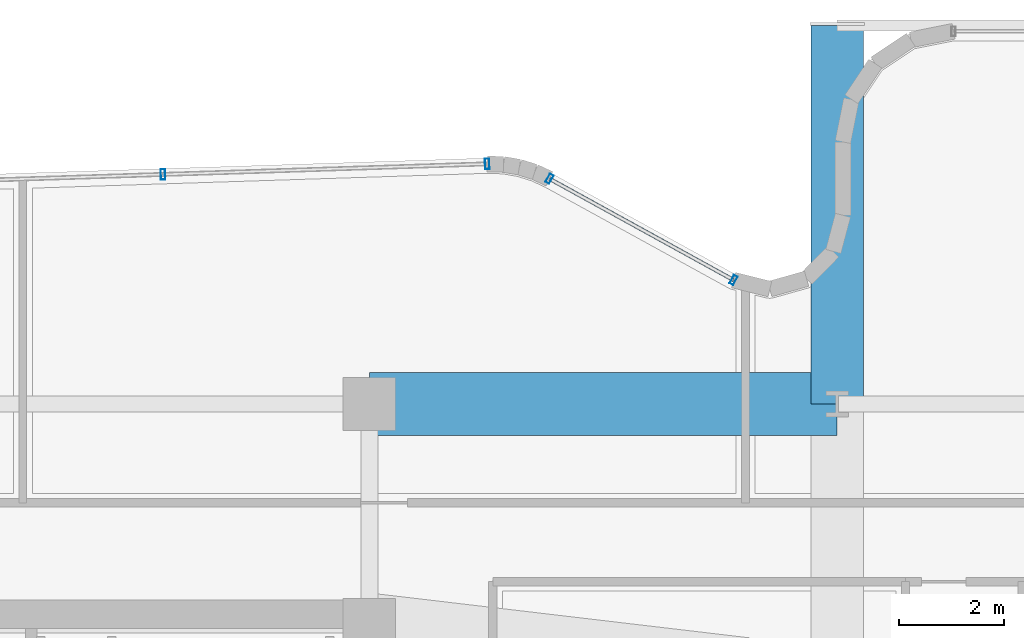
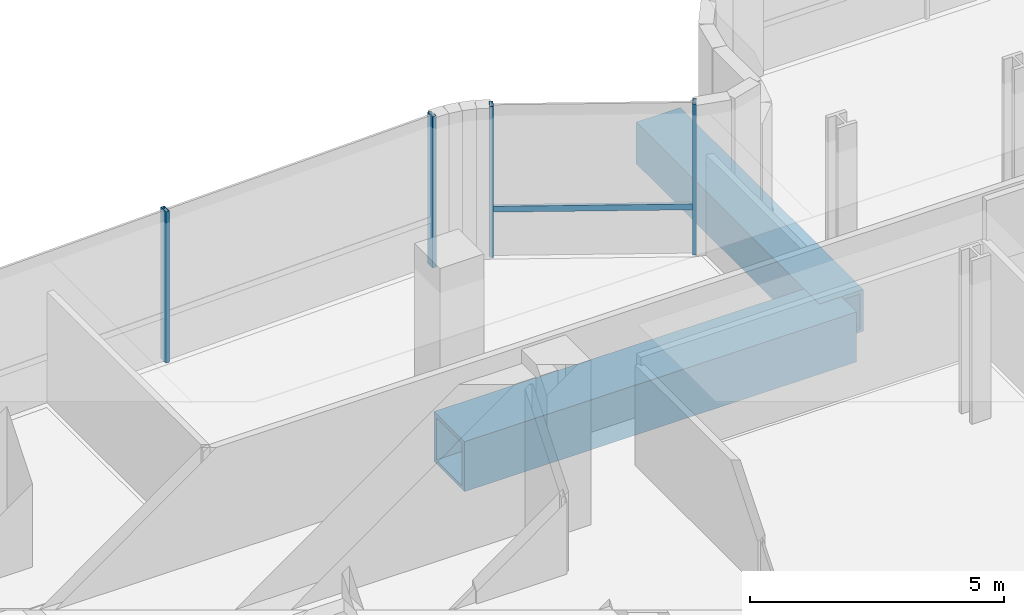
# One storey, part 21 of 37: 5 members, 2 beams, 2 elements without a shape of their own.
"""IFC4 building model written with IfcOpenShell, lengths in metres."""

import ifcopenshell
import ifcopenshell.guid

model = None  # the IFC model being written
_history = None  # IfcOwnerHistory: only IFC2X3 demands one
_inside = {}  # id of a spatial element -> (the spatial element, [elements in it])
_under = {}  # id of a project, library or spatial element -> (it, [spatial elements below it])
_declared = {}  # id of a project -> (the project, [libraries it declares])
_typed = {}  # id of a type object -> (the type object, [elements of that type])
_made_of = {}  # id of a material, layer set ... -> (it, [elements and type objects made of it])


def new_model(schema):
    """Start an empty IFC model of exactly this schema.

    Asked for "IFC4X3", IfcOpenShell would pick the latest addendum, in which some entities
    have other attributes; the version numbers below select the first issue.
    IFC2X3 requires an IfcOwnerHistory on every rooted entity: one is made here for all.
    """
    global model, _history
    if schema == "IFC4X3":
        model = ifcopenshell.file(schema_version=(4, 3, 0, 0))
    else:
        model = ifcopenshell.file(schema=schema)
    _inside.clear()
    _under.clear()
    _declared.clear()
    _typed.clear()
    _made_of.clear()
    _history = None
    if model.schema == "IFC2X3":
        org = make("IfcOrganization", Name="unknown")
        user = make(
            "IfcPersonAndOrganization",
            ThePerson=make("IfcPerson", FamilyName="unknown"),
            TheOrganization=org,
        )
        app = make(
            "IfcApplication",
            ApplicationDeveloper=org,
            Version="unknown",
            ApplicationFullName="unknown",
            ApplicationIdentifier="unknown",
        )
        _history = make(
            "IfcOwnerHistory",
            OwningUser=user,
            OwningApplication=app,
            ChangeAction="ADDED",
            CreationDate=0,
        )
    return model


def make(cls, **values):
    """One entity of the class cls with the attributes given. An attribute that is None is left unset."""
    return model.create_entity(
        cls, **{name: value for name, value in values.items() if value is not None}
    )


def rooted(cls, **values):
    """An entity with a GlobalId (a new one), such as an element, a storey or a relation."""
    return make(cls, GlobalId=ifcopenshell.guid.new(), OwnerHistory=_history, **values)


def si_unit(unit_type, name, prefix=None):
    """IfcSIUnit, for example si_unit("LENGTHUNIT", "METRE", prefix="MILLI")."""
    return make("IfcSIUnit", UnitType=unit_type, Prefix=prefix, Name=name)


def assignment(units):
    """IfcUnitAssignment: the units of a project."""
    return None if units is None else make("IfcUnitAssignment", Units=units)


def point(xyz):
    """IfcCartesianPoint."""
    return None if xyz is None else make("IfcCartesianPoint", Coordinates=xyz)


def direction(xyz):
    """IfcDirection."""
    return None if xyz is None else make("IfcDirection", DirectionRatios=xyz)


def frame(location, z_axis=None, x_axis=None):
    """IfcAxis2Placement3D, a coordinate frame: its origin and axes. An axis left out is left unset."""
    return make(
        "IfcAxis2Placement3D",
        Location=point(location),
        Axis=direction(z_axis),
        RefDirection=direction(x_axis),
    )


def frame_2d(location, x_axis=None):
    """IfcAxis2Placement2D, a coordinate frame in the plane: its origin and x axis."""
    return make(
        "IfcAxis2Placement2D", Location=point(location), RefDirection=direction(x_axis)
    )


def origin():
    """The frame at (0, 0, 0) with its axes left unset."""
    return frame((0.0, 0.0, 0.0))


def origin_2d():
    """The frame at (0, 0) in the plane with its x axis left unset."""
    return frame_2d((0.0, 0.0))


def place(relative_to, where):
    """IfcLocalPlacement: puts the frame where relative to a parent placement (None: the world)."""
    return make(
        "IfcLocalPlacement", PlacementRelTo=relative_to, RelativePlacement=where
    )


def context(
    kind, dimensions, precision=None, world=None, true_north=None, identifier=None
):
    """IfcGeometricRepresentationContext, for example the 3D "Model" context."""
    return make(
        "IfcGeometricRepresentationContext",
        ContextIdentifier=identifier,
        ContextType=kind,
        CoordinateSpaceDimension=dimensions,
        Precision=precision,
        WorldCoordinateSystem=world,
        TrueNorth=true_north,
    )


def subcontext(parent, identifier, kind, view, scale=None):
    """IfcGeometricRepresentationSubContext, for example "Body" below "Model"."""
    return make(
        "IfcGeometricRepresentationSubContext",
        ContextIdentifier=identifier,
        ContextType=kind,
        ParentContext=parent,
        TargetScale=scale,
        TargetView=view,
    )


def project(units=None, contexts=None):
    """IfcProject with its units and contexts."""
    return rooted(
        "IfcProject",
        Name="project",
        RepresentationContexts=contexts,
        UnitsInContext=assignment(units),
    )


def spatial(cls, under=None, at=None, **own):
    """A site, building, storey or space (cls), placed at a placement, below another one or the project."""
    s = rooted(cls, ObjectPlacement=at, **own)
    if under is not None:
        _under.setdefault(under.id(), (under, []))[1].append(s)
    return s


def profile(cls, at=None, kind="AREA", **sizes):
    """A parametric profile (cls). Its sizes go by their IFC names, for example OverallWidth=200.0."""
    return make(cls, ProfileType=kind, Position=at, **sizes)


def hollow_rectangle(**sizes):
    """IfcRectangleHollowProfileDef."""
    return profile("IfcRectangleHollowProfileDef", **sizes)


def extrude(swept, where, along, depth):
    """IfcExtrudedAreaSolid: the profile swept, set in the frame where, extruded along a direction by depth."""
    return make(
        "IfcExtrudedAreaSolid",
        SweptArea=swept,
        Position=where,
        ExtrudedDirection=direction(along),
        Depth=depth,
    )


def shape(context_of_items, identifier, shape_type, items):
    """IfcShapeRepresentation: the items that make up one representation, for example the "Body"."""
    return make(
        "IfcShapeRepresentation",
        ContextOfItems=context_of_items,
        RepresentationIdentifier=identifier,
        RepresentationType=shape_type,
        Items=items,
    )


def source(mapping_origin, context_of_items, identifier, shape_type, items):
    """IfcRepresentationMap: a shape defined once, which mapped items show again and again."""
    return make(
        "IfcRepresentationMap",
        MappingOrigin=mapping_origin,
        MappedRepresentation=shape(context_of_items, identifier, shape_type, items),
    )


def transform(
    local_origin,
    x_axis=None,
    y_axis=None,
    z_axis=None,
    scale=None,
    scale2=None,
    scale3=None,
    uniform=True,
):
    """IfcCartesianTransformationOperator3D, or its non-uniform kind. x_axis, y_axis, z_axis: its Axis1, 2, 3."""
    if uniform:
        return make(
            "IfcCartesianTransformationOperator3D",
            Axis1=direction(x_axis),
            Axis2=direction(y_axis),
            LocalOrigin=point(local_origin),
            Scale=scale,
            Axis3=direction(z_axis),
        )
    return make(
        "IfcCartesianTransformationOperator3DnonUniform",
        Axis1=direction(x_axis),
        Axis2=direction(y_axis),
        LocalOrigin=point(local_origin),
        Scale=scale,
        Axis3=direction(z_axis),
        Scale2=scale2,
        Scale3=scale3,
    )


def mapped(mapping_source, mapping_target):
    """IfcMappedItem: shows the shape of a source again, moved by a transform."""
    return make(
        "IfcMappedItem", MappingSource=mapping_source, MappingTarget=mapping_target
    )


def material(Name=None, Category=None):
    """IfcMaterial."""
    return make("IfcMaterial", Name=Name, Category=Category)


def material_profile(
    of_material, cross_section, Name=None, Category=None, Priority=None
):
    """IfcMaterialProfile: a cross section and its material."""
    return make(
        "IfcMaterialProfile",
        Name=Name,
        Material=of_material,
        Profile=cross_section,
        Priority=Priority,
        Category=Category,
    )


def profile_set(profiles, Name=None, composite=None):
    """IfcMaterialProfileSet."""
    return make(
        "IfcMaterialProfileSet",
        Name=Name,
        MaterialProfiles=profiles,
        CompositeProfile=composite,
    )


def made_of(thing, what):
    """Note that an element or type object is made of a material, layer set ...; save() writes the relation."""
    if what is not None:
        _made_of.setdefault(what.id(), (what, []))[1].append(thing)
    return thing


def type_object(cls, material=None, **own):
    """A type object (cls), such as IfcWallType, which elements share."""
    return made_of(rooted(cls, **own), material)


def element(
    cls,
    number,
    at=None,
    inside=None,
    cuts=None,
    type_object=None,
    material=None,
    context=None,
    identifier="Body",
    shape_type=None,
    held_by="IfcProductDefinitionShape",
    body=None,
    shapes=None,
    **own,
):
    """One element of the class cls, such as IfcWall. Its Tag is "e" and its number.

    at: its placement. inside: the storey or other place that contains it. cuts: it is an
    opening in that element (IfcRelVoidsElement). A single representation is given by context,
    identifier, shape_type and body (its items); several are given by shapes. held_by: the class
    of the entity that holds the representations. save() writes the other relations.
    """
    e = rooted(cls, Tag="e%d" % number, ObjectPlacement=at, **own)
    if body is not None:
        shapes = [shape(context, identifier, shape_type, body)]
    if shapes is not None:
        e.Representation = make(held_by, Representations=shapes)
    if inside is not None:
        _inside.setdefault(inside.id(), (inside, []))[1].append(e)
    if cuts is not None:
        rooted(
            "IfcRelVoidsElement", RelatingBuildingElement=cuts, RelatedOpeningElement=e
        )
    if type_object is not None:
        _typed.setdefault(type_object.id(), (type_object, []))[1].append(e)
    return made_of(e, material)


def aggregate(whole, parts):
    """IfcRelAggregates: a whole, such as a stair, and the parts it consists of."""
    return rooted("IfcRelAggregates", RelatingObject=whole, RelatedObjects=parts)


def save(model, path):
    """Write the relations noted so far, then the file.

    IfcRelAggregates (storeys below a building ...), IfcRelContainedInSpatialStructure (elements
    in a storey), IfcRelDefinesByType, IfcRelAssociatesMaterial and IfcRelDeclares: one each for
    every whole, place, type object, material and project.
    """
    for whole, parts in _under.values():
        aggregate(whole, parts)
    for where, things in _inside.values():
        rooted(
            "IfcRelContainedInSpatialStructure",
            RelatedElements=things,
            RelatingStructure=where,
        )
    for kind, things in _typed.values():
        rooted("IfcRelDefinesByType", RelatedObjects=things, RelatingType=kind)
    for what, things in _made_of.values():
        rooted("IfcRelAssociatesMaterial", RelatedObjects=things, RelatingMaterial=what)
    for by, libraries in _declared.values():
        rooted("IfcRelDeclares", RelatingContext=by, RelatedDefinitions=libraries)
    model.write(path)


model = new_model("IFC4")

# Units and contexts
model_context = context("Model", 3, precision=1e-05, world=origin(), true_north=direction((0.0, 1.0)))
body_context = subcontext(model_context, "Body", "Model", "MODEL_VIEW")
ifc_project = project(units=[si_unit("LENGTHUNIT", "METRE"), si_unit("AREAUNIT", "SQUARE_METRE"), si_unit("VOLUMEUNIT", "CUBIC_METRE"), si_unit("PLANEANGLEUNIT", "RADIAN"), si_unit("MASSUNIT", "GRAM", prefix="KILO")], contexts=[model_context])

# Site, building, storey
site_placement = place(None, origin())
site = spatial("IfcSite", under=ifc_project, at=site_placement, CompositionType="ELEMENT")
building_placement = place(site_placement, origin())
building = spatial("IfcBuilding", under=site, at=building_placement, Name="Valdorenza Pilgrim Sanctuary Tower", CompositionType="ELEMENT")
storey_placement = place(building_placement, frame((0.0, 0.0, 188.39990234375)))
storey = spatial("IfcBuildingStorey", under=building, at=storey_placement, Name="L48", CompositionType="ELEMENT", Elevation=188.39990234375)

# Beams
ifc_material_1 = material(Name="Steel ASTM A572 Grade 42", Category="steel")
ifc_material_profile_1 = material_profile(ifc_material_1, hollow_rectangle(XDim=1.199951171875, YDim=1.199951171875, WallThickness=0.090087890625, at=origin_2d()), Name="BOX 1200x1200x90")
ifc_profile_set_1 = profile_set([ifc_material_profile_1], Name="Steel ASTM A572 Grade 42")
beam_type_1 = type_object("IfcBeamType", Name="STR-BM-TRF-1200", PredefinedType="BEAM", material=ifc_profile_set_1)
shared_shape_1 = source(origin(), body_context, "Body", "SweptSolid", [
    extrude(hollow_rectangle(XDim=1.199951171875, YDim=1.199951171875, WallThickness=0.090087890625, at=origin_2d()), origin(), (0.0, 0.0, 1.0), 8.89990234375),
])
beam_1_placement = place(storey_placement, frame((-12.39990234375, 14.800048828125, -0.919921875), z_axis=(1.0, 0.0, 0.0), x_axis=(0.0, 1.0, 0.0)))
element("IfcBeam", 1, at=beam_1_placement, inside=storey, type_object=beam_type_1, Name="L48 Portal Bridge Transfer Girder PRY-G1-P14", PredefinedType="BEAM", context=body_context, shape_type="MappedRepresentation", body=[
    mapped(shared_shape_1, transform((0.0, 0.0, 0.0), x_axis=(1.0, 0.0, 0.0), y_axis=(0.0, 1.0, 0.0), z_axis=(0.0, 0.0, 1.0), scale=1.0)),
])
ifc_material_profile_2 = material_profile(ifc_material_1, hollow_rectangle(XDim=1.0, YDim=1.0, WallThickness=0.080078125, at=origin_2d()), Name="BOX 1000x1000x80")
ifc_profile_set_2 = profile_set([ifc_material_profile_2], Name="Steel ASTM A572 Grade 42")
beam_type_2 = type_object("IfcBeamType", Name="STR-BM-PROW-CANT", PredefinedType="BEAM", material=ifc_profile_set_2)
shared_shape_2 = source(origin(), body_context, "Body", "SweptSolid", [
    extrude(hollow_rectangle(XDim=1.0, YDim=1.0, WallThickness=0.080078125, at=origin_2d()), origin(), (0.0, 0.0, 1.0), 7.199951171875),
])
beam_2_placement = place(storey_placement, frame((-3.5, 14.800048828125, -0.81982421875), z_axis=(0.0, 1.0, 0.0), x_axis=(-1.0, 0.0, 0.0)))
element("IfcBeam", 2, at=beam_2_placement, inside=storey, type_object=beam_type_2, Name="L48 North Sanctuary Prow Cantilever PROW-CANT-N-W", PredefinedType="BEAM", context=body_context, shape_type="MappedRepresentation", body=[
    mapped(shared_shape_2, transform((0.0, 0.0, 0.0), x_axis=(1.0, 0.0, 0.0), y_axis=(0.0, 1.0, 0.0), z_axis=(0.0, 0.0, 1.0), scale=1.0)),
])

# Curtain wall, member
ifc_material_2 = material(Name="Curtain-wall IGU glazing", Category="glass")
curtain_wall_type_1 = type_object("IfcCurtainWallType", Name="CW-SYS-05", PredefinedType="NOTDEFINED", material=ifc_material_2)
curtain_wall_1_placement = place(storey_placement, origin())
curtain_wall_1 = element("IfcCurtainWall", 3, at=curtain_wall_1_placement, inside=storey, type_object=curtain_wall_type_1, Name="L48 Curtain Wall CW-L48-1-11", PredefinedType="NOTDEFINED")
ifc_material_3 = material(Name="Anodised aluminium AW-6060", Category="aluminium")
ifc_material_profile_3 = material_profile(ifc_material_3, hollow_rectangle(XDim=0.070068359375, YDim=0.139892578125, WallThickness=0.00341796875, at=origin_2d()), Name="ALU-T 140x70x3.5")
ifc_profile_set_3 = profile_set([ifc_material_profile_3], Name="Anodised aluminium AW-6060")
member_type_1 = type_object("IfcMemberType", Name="CW-TRN-05", PredefinedType="USERDEFINED", material=ifc_profile_set_3)
shared_shape_3 = source(origin(), body_context, "Body", "SweptSolid", [
    extrude(hollow_rectangle(XDim=0.070068359375, YDim=0.139892578125, WallThickness=0.00341796875, at=origin_2d()), origin(), (0.0, 0.0, 1.0), 3.99609375),
])
member_1_placement = place(storey_placement, frame((-8.972900390625, 19.084716796875, 1.1201171875), z_axis=(0.876178497897, -0.48198676312, 0.0), x_axis=(0.48198676312, 0.876178497897, 0.0)))
member_1 = element("IfcMember", 4, at=member_1_placement, type_object=member_type_1, Name="CW-L48-1-11 Transom 1", ObjectType="TRANSOM", PredefinedType="USERDEFINED", context=body_context, shape_type="MappedRepresentation", body=[
    mapped(shared_shape_3, transform((0.0, 0.0, 0.0), x_axis=(1.0, 0.0, 0.0), y_axis=(0.0, 1.0, 0.0), z_axis=(0.0, 0.0, 1.0), scale=1.0)),
])

# Curtain wall, members
curtain_wall_type_2 = type_object("IfcCurtainWallType", Name="CW-SYS-02", PredefinedType="NOTDEFINED", material=ifc_material_2)
curtain_wall_2_placement = place(storey_placement, origin())
curtain_wall_2 = element("IfcCurtainWall", 5, at=curtain_wall_2_placement, inside=storey, type_object=curtain_wall_type_2, Name="L48 Curtain Wall CW-L48-1-6", PredefinedType="NOTDEFINED")
ifc_material_profile_4 = material_profile(ifc_material_3, hollow_rectangle(XDim=0.0849609375, YDim=0.199951171875, WallThickness=0.0048828125, at=origin_2d()), Name="ALU-M 200x85x5")
ifc_profile_set_4 = profile_set([ifc_material_profile_4], Name="Anodised aluminium AW-6060")
member_type_2 = type_object("IfcMemberType", Name="CW-MUL-02", PredefinedType="MULLION", material=ifc_profile_set_4)
shared_shape_4 = source(origin(), body_context, "Body", "SweptSolid", [
    extrude(hollow_rectangle(XDim=0.0849609375, YDim=0.199951171875, WallThickness=0.0048828125, at=origin_2d()), origin(), (0.0, 0.0, 1.0), 3.630126953125),
])
member_2_placement = place(storey_placement, frame((-16.32666015625, 19.167724609375, 0.0), z_axis=(0.0, 0.0, 1.0), x_axis=(0.999470282811, 0.032544642846, 0.0)))
member_2 = element("IfcMember", 6, at=member_2_placement, type_object=member_type_2, Name="CW-L48-1-6 Mullion 3", PredefinedType="MULLION", context=body_context, shape_type="MappedRepresentation", body=[
    mapped(shared_shape_4, transform((0.0, 0.0, 0.0), x_axis=(1.0, 0.0, 0.0), y_axis=(0.0, 1.0, 0.0), z_axis=(0.0, 0.0, 1.0), scale=1.0)),
])
member_3_placement = place(storey_placement, frame((-10.157958984375, 19.368408203125, 0.0), z_axis=(0.0, 0.0, 1.0), x_axis=(0.999470282811, 0.032544642846, 0.0)))
member_3 = element("IfcMember", 7, at=member_3_placement, type_object=member_type_2, Name="CW-L48-1-6 Mullion 4", PredefinedType="MULLION", context=body_context, shape_type="MappedRepresentation", body=[
    mapped(shared_shape_4, transform((0.0, 0.0, 0.0), x_axis=(1.0, 0.0, 0.0), y_axis=(0.0, 1.0, 0.0), z_axis=(0.0, 0.0, 1.0), scale=1.0)),
])
aggregate(curtain_wall_2, [member_2, member_3])

# Member
ifc_material_profile_5 = material_profile(ifc_material_3, hollow_rectangle(XDim=0.080078125, YDim=0.179931640625, WallThickness=0.00439453125, at=origin_2d()), Name="ALU-M 180x80x4.5")
ifc_profile_set_5 = profile_set([ifc_material_profile_5], Name="Anodised aluminium AW-6060")
member_type_3 = type_object("IfcMemberType", Name="CW-MUL-05", PredefinedType="MULLION", material=ifc_profile_set_5)
shared_shape_5 = source(origin(), body_context, "Body", "SweptSolid", [
    extrude(hollow_rectangle(XDim=0.080078125, YDim=0.179931640625, WallThickness=0.00439453125, at=origin_2d()), origin(), (0.0, 0.0, 1.0), 3.630126953125),
])
member_4_placement = place(storey_placement, frame((-8.972900390625, 19.084716796875, 0.0), z_axis=(0.0, 0.0, 1.0), x_axis=(0.876214173829, -0.481921904027, 0.0)))
member_4 = element("IfcMember", 8, at=member_4_placement, type_object=member_type_3, Name="CW-L48-1-11 Mullion 1", PredefinedType="MULLION", context=body_context, shape_type="MappedRepresentation", body=[
    mapped(shared_shape_5, transform((0.0, 0.0, 0.0), x_axis=(1.0, 0.0, 0.0), y_axis=(0.0, 1.0, 0.0), z_axis=(0.0, 0.0, 1.0), scale=1.0)),
])

member_5_placement = place(storey_placement, frame((-5.4716796875, 17.15869140625, 0.0), z_axis=(0.0, 0.0, 1.0), x_axis=(0.876214173829, -0.481921904027, 0.0)))
member_5 = element("IfcMember", 9, at=member_5_placement, type_object=member_type_3, Name="CW-L48-1-11 Mullion 2", PredefinedType="MULLION", context=body_context, shape_type="MappedRepresentation", body=[
    mapped(shared_shape_5, transform((0.0, 0.0, 0.0), x_axis=(1.0, 0.0, 0.0), y_axis=(0.0, 1.0, 0.0), z_axis=(0.0, 0.0, 1.0), scale=1.0)),
])

aggregate(curtain_wall_1, [member_4, member_5, member_1])

save(model, "model.ifc")
